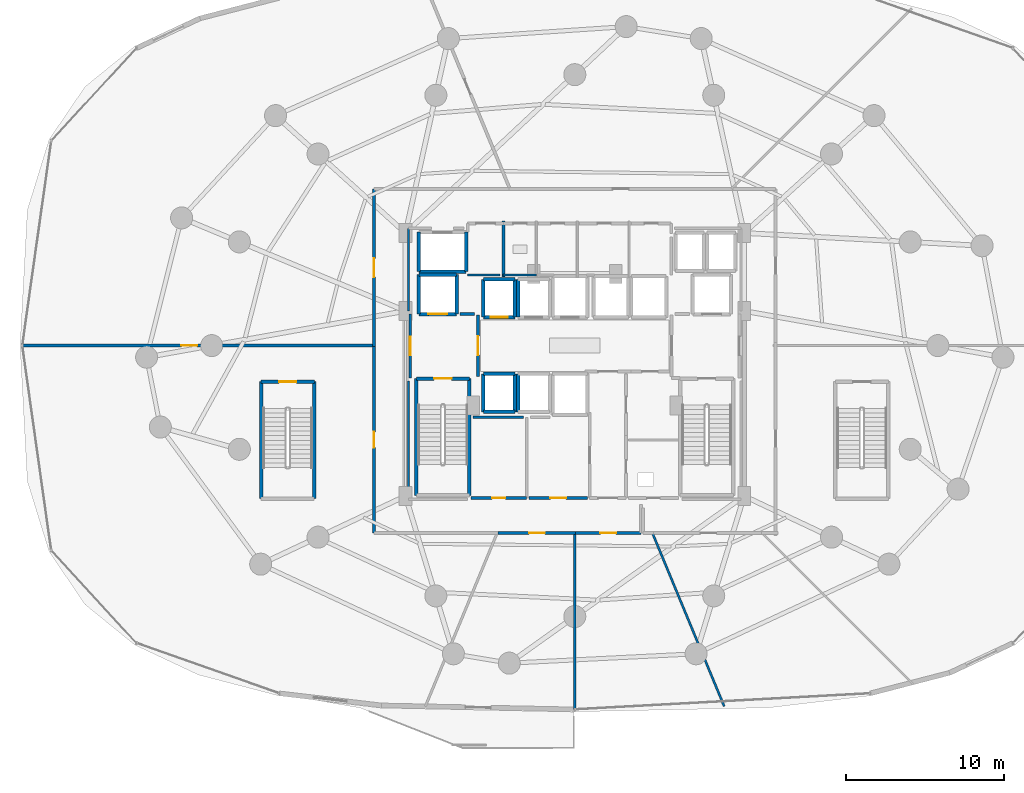
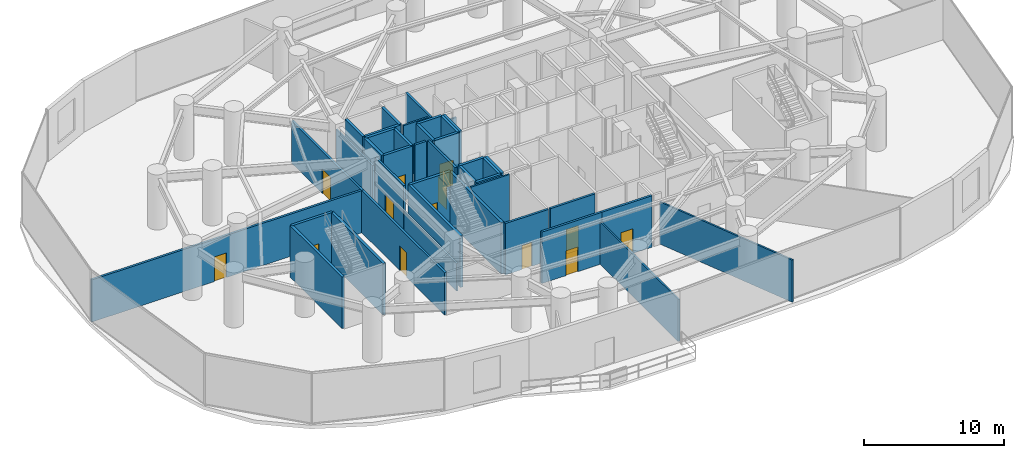
# One storey, part 24 of 30: 41 walls, 13 doors, 13 openings.
"""IFC4 building model written with IfcOpenShell, lengths in metres."""

from ifc_helpers import new_model, si_unit, direction, frame, frame_2d, origin, place, context, subcontext, project, spatial, rectangle, extrude, material, layer, layer_set, type_object, element, fill, save


model = new_model("IFC4")

# Units and contexts
model_context = context("Model", 3, precision=1e-05, world=origin(), true_north=direction((0.0, 1.0)))
body_context = subcontext(model_context, "Body", "Model", "MODEL_VIEW")
ifc_project = project(units=[si_unit("LENGTHUNIT", "METRE"), si_unit("AREAUNIT", "SQUARE_METRE"), si_unit("VOLUMEUNIT", "CUBIC_METRE"), si_unit("PLANEANGLEUNIT", "RADIAN"), si_unit("MASSUNIT", "GRAM", prefix="KILO")], contexts=[model_context])

# Site, building, storey
site_placement = place(None, origin())
site = spatial("IfcSite", under=ifc_project, at=site_placement, CompositionType="ELEMENT")
building_placement = place(site_placement, origin())
building = spatial("IfcBuilding", under=site, at=building_placement, Name="Vorneva Point Tower", CompositionType="ELEMENT")
storey_placement = place(building_placement, frame((0.0, 0.0, 9.60009765625)))
storey = spatial("IfcBuildingStorey", under=building, at=storey_placement, Name="L02", CompositionType="ELEMENT", Elevation=9.60009765625)

# Wall, opening, door
ifc_material_1 = material(Name="Concrete B60 (C50/60)", Category="concrete")
ifc_layer_1 = layer(ifc_material_1, 0.5)
ifc_layer_set_1 = layer_set([ifc_layer_1], Name="Concrete B60 (C50/60)")
wall_type_1 = type_object("IfcWallType", Name="WL-CORE-500", PredefinedType="SHEAR", material=ifc_layer_set_1)
wall_1_placement = place(storey_placement, frame((28.10009765625, 28.0, 0.0), z_axis=(0.0, 0.0, 1.0), x_axis=(1.0, 0.0, 0.0)))
wall_1 = element("IfcWall", 1, at=wall_1_placement, inside=storey, type_object=wall_type_1, Name="L02 Lift FFL1 Shaft Wall -Y", PredefinedType="SHEAR", context=body_context, shape_type="SweptSolid", body=[
    extrude(rectangle(XDim=2.39990234375, YDim=0.219970703125, at=frame_2d((1.199951171875, 0.0))), origin(), (0.0, 0.0, 1.0), 4.47998046875),
])
opening_1_placement = place(wall_1_placement, frame((0.60009765625, 0.0, 0.0)))
opening_1 = element("IfcOpeningElement", 2, at=opening_1_placement, cuts=wall_1, Name="Opening LD-02", PredefinedType="OPENING", context=body_context, shape_type="SweptSolid", body=[
    extrude(rectangle(XDim=1.199951171875, YDim=2.199951171875, at=frame_2d((0.60009765625, 1.10009765625))), frame((0.0, 0.125, 0.0), z_axis=(0.0, -1.0, 0.0), x_axis=(1.0, 0.0, 0.0)), (0.0, 0.0, 1.0), 0.249755859375),
])
ifc_material_2 = material(Name="Brushed stainless steel S304", Category="steel")
door_type_1 = type_object("IfcDoorType", Name="LD-FIRE-1200", OperationType="SLIDING_TO_LEFT", PredefinedType="DOOR", material=ifc_material_2)
door_1_placement = place(opening_1_placement, origin())
door_1 = element("IfcDoor", 3, at=door_1_placement, inside=storey, type_object=door_type_1, Name="L02 Lift FFL1 Sliding Landing Door", OperationType="SLIDING_TO_LEFT", OverallHeight=2.199951171875, OverallWidth=1.199951171875, PredefinedType="DOOR", context=body_context, shape_type="SweptSolid", body=[
    extrude(rectangle(XDim=1.199951171875, YDim=2.199951171875, at=frame_2d((0.60009765625, 1.10009765625))), frame((0.0, 0.02490234375, 0.0), z_axis=(0.0, -1.0, 0.0), x_axis=(1.0, 0.0, 0.0)), (0.0, 0.0, 1.0), 0.050048828125),
])
fill(opening_1, door_1)

# Walls
wall_2_placement = place(storey_placement, frame((30.5, 28.0, 0.0), z_axis=(0.0, 0.0, 1.0), x_axis=(0.0, 1.0, 0.0)))
element("IfcWall", 4, at=wall_2_placement, inside=storey, type_object=wall_type_1, Name="L02 Lift FFL1 Shaft Wall +X", PredefinedType="SHEAR", context=body_context, shape_type="SweptSolid", body=[
    extrude(rectangle(XDim=2.5, YDim=0.219970703125, at=frame_2d((1.25, 0.0))), origin(), (0.0, 0.0, 1.0), 4.47998046875),
])
wall_3_placement = place(storey_placement, frame((30.5, 30.5, 0.0), z_axis=(0.0, 0.0, 1.0), x_axis=(-1.0, 0.0, 0.0)))
element("IfcWall", 5, at=wall_3_placement, inside=storey, type_object=wall_type_1, Name="L02 Lift FFL1 Shaft Wall +Y", PredefinedType="SHEAR", context=body_context, shape_type="SweptSolid", body=[
    extrude(rectangle(XDim=2.39990234375, YDim=0.219970703125, at=frame_2d((1.199951171875, 0.0))), origin(), (0.0, 0.0, 1.0), 4.47998046875),
])
wall_4_placement = place(storey_placement, frame((28.10009765625, 30.5, 0.0), z_axis=(0.0, 0.0, 1.0), x_axis=(0.0, -1.0, 0.0)))
element("IfcWall", 6, at=wall_4_placement, inside=storey, type_object=wall_type_1, Name="L02 Lift FFL1 Shaft Wall -X", PredefinedType="SHEAR", context=body_context, shape_type="SweptSolid", body=[
    extrude(rectangle(XDim=2.5, YDim=0.219970703125, at=frame_2d((1.25, 0.0))), origin(), (0.0, 0.0, 1.0), 4.47998046875),
])
ifc_material_3 = material(Name="Fire-rated acoustic gypsum stud partition", Category="gypsum")
ifc_layer_2 = layer(ifc_material_3, 0.139892578125)
ifc_layer_set_2 = layer_set([ifc_layer_2], Name="Fire-rated acoustic gypsum stud partition")
wall_type_2 = type_object("IfcWallType", Name="WL-PART-140", PredefinedType="PARTITIONING", material=ifc_layer_set_2)
wall_5_placement = place(storey_placement, frame((38.0, 2.904052734375, 0.0), z_axis=(0.0, 0.0, 1.0), x_axis=(0.0, 1.0, 0.0)))
element("IfcWall", 7, at=wall_5_placement, inside=storey, type_object=wall_type_2, Name="L02 Interior Partition 047", PredefinedType="PARTITIONING", context=body_context, shape_type="SweptSolid", body=[
    extrude(rectangle(XDim=11.196044921875, YDim=0.139892578125, at=frame_2d((5.59814453125, 0.0))), origin(), (0.0, 0.0, 1.0), 3.671875),
])
wall_6_placement = place(storey_placement, frame((47.486083984375, 3.09912109375, 0.0), z_axis=(0.0, 0.0, 1.0), x_axis=(-0.38271032831, 0.923868391388, 0.0)))
element("IfcWall", 8, at=wall_6_placement, inside=storey, type_object=wall_type_2, Name="L02 Interior Partition 048", PredefinedType="PARTITIONING", context=body_context, shape_type="SweptSolid", body=[
    extrude(rectangle(XDim=11.907470703125, YDim=0.139892578125, at=frame_2d((5.95361328125, 0.0))), origin(), (0.0, 0.0, 1.0), 3.671875),
])
wall_7_placement = place(storey_placement, frame((31.199951171875, 30.47998046875, 0.0), z_axis=(0.0, 0.0, 1.0), x_axis=(1.0, 0.0, 0.0)))
element("IfcWall", 9, at=wall_7_placement, inside=storey, type_object=wall_type_2, Name="L02 Interior Closure Partition 053", PredefinedType="PARTITIONING", context=body_context, shape_type="SweptSolid", body=[
    extrude(rectangle(XDim=2.050048828125, YDim=0.139892578125, at=frame_2d((1.02490234375, 0.0))), origin(), (0.0, 0.0, 1.0), 4.47998046875),
])
wall_8_placement = place(storey_placement, frame((33.43994140625, 30.47998046875, 0.0), z_axis=(0.0, 0.0, 1.0), x_axis=(1.0, 0.0, 0.0)))
element("IfcWall", 10, at=wall_8_placement, inside=storey, type_object=wall_type_2, Name="L02 Interior Closure Partition 054", PredefinedType="PARTITIONING", context=body_context, shape_type="SweptSolid", body=[
    extrude(rectangle(XDim=2.14013671875, YDim=0.139892578125, at=frame_2d((1.070068359375, 0.0))), origin(), (0.0, 0.0, 1.0), 3.671875),
])
wall_9_placement = place(storey_placement, frame((34.72998046875, 21.449951171875, 0.0), z_axis=(0.0, 0.0, 1.0), x_axis=(-1.0, 0.0, 0.0)))
element("IfcWall", 11, at=wall_9_placement, inside=storey, type_object=wall_type_2, Name="L02 Interior Closure Partition 058", PredefinedType="PARTITIONING", context=body_context, shape_type="SweptSolid", body=[
    extrude(rectangle(XDim=3.199951171875, YDim=0.139892578125, at=frame_2d((1.60009765625, 0.0))), origin(), (0.0, 0.0, 1.0), 4.47998046875),
])
wall_10_placement = place(storey_placement, frame((27.449951171875, 16.239990234375, 0.0), z_axis=(0.0, 0.0, 1.0), x_axis=(0.0, 1.0, 0.0)))
element("IfcWall", 12, at=wall_10_placement, inside=storey, type_object=wall_type_2, Name="L02 Interior Closure Partition 065", PredefinedType="PARTITIONING", context=body_context, shape_type="SweptSolid", body=[
    extrude(rectangle(XDim=7.513916015625, YDim=0.139892578125, at=frame_2d((3.7568359375, 0.0))), origin(), (0.0, 0.0, 1.0), 2.406005859375),
])
wall_11_placement = place(storey_placement, frame((27.449951171875, 28.196044921875, 0.0), z_axis=(0.0, 0.0, 1.0), x_axis=(0.0, 1.0, 0.0)))
element("IfcWall", 13, at=wall_11_placement, inside=storey, type_object=wall_type_2, Name="L02 Interior Closure Partition 066", PredefinedType="PARTITIONING", context=body_context, shape_type="SweptSolid", body=[
    extrude(rectangle(XDim=5.25390625, YDim=0.139892578125, at=frame_2d((2.626953125, 0.0))), origin(), (0.0, 0.0, 1.0), 3.671875),
])

# Wall, opening, door
ifc_material_4 = material(Name="Autoclaved aerated concrete blockwork", Category="masonry")
ifc_layer_3 = layer(ifc_material_4, 0.179931640625)
ifc_layer_set_3 = layer_set([ifc_layer_3], Name="Autoclaved aerated concrete blockwork")
wall_type_3 = type_object("IfcWallType", Name="WL-PART-180", PredefinedType="PARTITIONING", material=ifc_layer_set_3)
wall_12_placement = place(storey_placement, frame((31.85009765625, 24.044921875, 0.0), z_axis=(0.0, 0.0, 1.0), x_axis=(0.0, 1.0, 0.0)))
wall_12 = element("IfcWall", 14, at=wall_12_placement, inside=storey, type_object=wall_type_3, Name="L02 Interior Partition 001", PredefinedType="PARTITIONING", context=body_context, shape_type="SweptSolid", body=[
    extrude(rectangle(XDim=3.91015625, YDim=0.179931640625, at=frame_2d((1.955078125, 0.0))), origin(), (0.0, 0.0, 1.0), 4.47998046875),
])
opening_2_placement = place(wall_12_placement, frame((1.35498046875, 0.0, 0.0)))
opening_2 = element("IfcOpeningElement", 15, at=opening_2_placement, cuts=wall_12, Name="Opening FD-02", PredefinedType="OPENING", context=body_context, shape_type="SweptSolid", body=[
    extrude(rectangle(XDim=1.199951171875, YDim=2.14990234375, at=frame_2d((0.60009765625, 1.074951171875))), frame((0.0, 0.10498046875, 0.0), z_axis=(0.0, -1.0, 0.0), x_axis=(1.0, 0.0, 0.0)), (0.0, 0.0, 1.0), 0.209716796875),
])
ifc_material_5 = material(Name="Fire-rated powder-coated steel", Category="steel")
door_type_2 = type_object("IfcDoorType", Name="DR-FFL-1200", OperationType="NOTDEFINED", PredefinedType="DOOR", material=ifc_material_5)
door_2_placement = place(opening_2_placement, origin())
door_2 = element("IfcDoor", 16, at=door_2_placement, inside=storey, type_object=door_type_2, Name="L02 Door West Firefighting Lobby / Central Lift Lobby", OperationType="SINGLE_SWING_LEFT", OverallHeight=2.14990234375, OverallWidth=1.199951171875, PredefinedType="DOOR", context=body_context, shape_type="SweptSolid", body=[
    extrude(rectangle(XDim=1.199951171875, YDim=2.14990234375, at=frame_2d((0.60009765625, 1.074951171875))), frame((0.0, 0.02490234375, 0.0), z_axis=(0.0, -1.0, 0.0), x_axis=(1.0, 0.0, 0.0)), (0.0, 0.0, 1.0), 0.050048828125),
])
fill(opening_2, door_2)

wall_13_placement = place(storey_placement, frame((27.550048828125, 28.0, 0.0), z_axis=(0.0, 0.0, 1.0), x_axis=(0.0, -1.0, 0.0)))
wall_13 = element("IfcWall", 17, at=wall_13_placement, inside=storey, type_object=wall_type_3, Name="L02 Interior Partition 002", PredefinedType="PARTITIONING", context=body_context, shape_type="SweptSolid", body=[
    extrude(rectangle(XDim=4.050048828125, YDim=0.179931640625, at=frame_2d((2.02490234375, 0.0))), origin(), (0.0, 0.0, 1.0), 4.47998046875),
])
opening_3_placement = place(wall_13_placement, frame((1.425048828125, 0.0, 0.0)))
opening_3 = element("IfcOpeningElement", 18, at=opening_3_placement, cuts=wall_13, Name="Opening FD-02", PredefinedType="OPENING", context=body_context, shape_type="SweptSolid", body=[
    extrude(rectangle(XDim=1.199951171875, YDim=2.14990234375, at=frame_2d((0.60009765625, 1.074951171875))), frame((0.0, 0.10498046875, 0.0), z_axis=(0.0, -1.0, 0.0), x_axis=(1.0, 0.0, 0.0)), (0.0, 0.0, 1.0), 0.209716796875),
])
door_3_placement = place(opening_3_placement, origin())
door_3 = element("IfcDoor", 19, at=door_3_placement, inside=storey, type_object=door_type_2, Name="L02 Door West Firefighting Lobby / L02 Circulation Corridor", OperationType="SINGLE_SWING_RIGHT", OverallHeight=2.14990234375, OverallWidth=1.199951171875, PredefinedType="DOOR", context=body_context, shape_type="SweptSolid", body=[
    extrude(rectangle(XDim=1.199951171875, YDim=2.14990234375, at=frame_2d((0.60009765625, 1.074951171875))), frame((0.0, 0.02490234375, 0.0), z_axis=(0.0, -1.0, 0.0), x_axis=(1.0, 0.0, 0.0)), (0.0, 0.0, 1.0), 0.050048828125),
])
fill(opening_3, door_3)

# Wall
wall_14_placement = place(storey_placement, frame((33.469970703125, 30.340087890625, 0.0), z_axis=(0.0, 0.0, 1.0), x_axis=(0.0, 1.0, 0.0)))
element("IfcWall", 20, at=wall_14_placement, inside=storey, type_object=wall_type_3, Name="L02 Interior Partition 006", PredefinedType="PARTITIONING", context=body_context, shape_type="SweptSolid", body=[
    extrude(rectangle(XDim=3.559814453125, YDim=0.179931640625, at=frame_2d((1.77978515625, 0.0))), origin(), (0.0, 0.0, 1.0), 4.47998046875),
])

# Wall, opening, door
wall_15_placement = place(storey_placement, frame((31.39990234375, 16.320068359375, 0.0), z_axis=(0.0, 0.0, 1.0), x_axis=(1.0, 0.0, 0.0)))
wall_15 = element("IfcWall", 21, at=wall_15_placement, inside=storey, type_object=wall_type_3, Name="L02 Interior Partition 026", PredefinedType="PARTITIONING", context=body_context, shape_type="SweptSolid", body=[
    extrude(rectangle(XDim=3.550048828125, YDim=0.179931640625, at=frame_2d((1.77490234375, 0.0))), origin(), (0.0, 0.0, 1.0), 4.47998046875),
])
opening_4_placement = place(wall_15_placement, frame((1.35009765625, 0.0, 0.0)))
opening_4 = element("IfcOpeningElement", 22, at=opening_4_placement, cuts=wall_15, Name="Opening ID-02", PredefinedType="OPENING", context=body_context, shape_type="SweptSolid", body=[
    extrude(rectangle(XDim=0.85009765625, YDim=2.10009765625, at=frame_2d((0.425048828125, 1.050048828125))), frame((0.0, 0.10498046875, 0.0), z_axis=(0.0, -1.0, 0.0), x_axis=(1.0, 0.0, 0.0)), (0.0, 0.0, 1.0), 0.209716796875),
])
ifc_material_6 = material(Name="Engineered oak fire-rated door leaf", Category="wood")
door_type_3 = type_object("IfcDoorType", Name="DR-BATH-850", OperationType="NOTDEFINED", PredefinedType="DOOR", material=ifc_material_6)
door_4_placement = place(opening_4_placement, origin())
door_4 = element("IfcDoor", 23, at=door_4_placement, inside=storey, type_object=door_type_3, Name="L02 Door Luggage Store / L02 Circulation Corridor", OperationType="SINGLE_SWING_LEFT", OverallHeight=2.10009765625, OverallWidth=0.85009765625, PredefinedType="DOOR", context=body_context, shape_type="SweptSolid", body=[
    extrude(rectangle(XDim=0.85009765625, YDim=2.10009765625, at=frame_2d((0.425048828125, 1.050048828125))), frame((0.0, 0.02490234375, 0.0), z_axis=(0.0, -1.0, 0.0), x_axis=(1.0, 0.0, 0.0)), (0.0, 0.0, 1.0), 0.050048828125),
])
fill(opening_4, door_4)

wall_16_placement = place(storey_placement, frame((35.10009765625, 16.320068359375, 0.0), z_axis=(0.0, 0.0, 1.0), x_axis=(1.0, 0.0, 0.0)))
wall_16 = element("IfcWall", 24, at=wall_16_placement, inside=storey, type_object=wall_type_3, Name="L02 Interior Partition 027", PredefinedType="PARTITIONING", context=body_context, shape_type="SweptSolid", body=[
    extrude(rectangle(XDim=3.699951171875, YDim=0.179931640625, at=frame_2d((1.85009765625, 0.0))), origin(), (0.0, 0.0, 1.0), 4.47998046875),
])
opening_5_placement = place(wall_16_placement, frame((1.35009765625, 0.0, 0.0)))
opening_5 = element("IfcOpeningElement", 25, at=opening_5_placement, cuts=wall_16, Name="Opening UD-01", PredefinedType="OPENING", context=body_context, shape_type="SweptSolid", body=[
    extrude(rectangle(XDim=1.0, YDim=2.14990234375, at=frame_2d((0.5, 1.074951171875))), frame((0.0, 0.10498046875, 0.0), z_axis=(0.0, -1.0, 0.0), x_axis=(1.0, 0.0, 0.0)), (0.0, 0.0, 1.0), 0.209716796875),
])
door_type_4 = type_object("IfcDoorType", Name="DR-UNIT-1000", OperationType="NOTDEFINED", PredefinedType="DOOR", material=ifc_material_6)
door_5_placement = place(opening_5_placement, origin())
door_5 = element("IfcDoor", 26, at=door_5_placement, inside=storey, type_object=door_type_4, Name="L02 Door Staff Service Pantry / L02 Circulation Corridor", OperationType="SINGLE_SWING_RIGHT", OverallHeight=2.14990234375, OverallWidth=1.0, PredefinedType="DOOR", context=body_context, shape_type="SweptSolid", body=[
    extrude(rectangle(XDim=1.0, YDim=2.14990234375, at=frame_2d((0.5, 1.074951171875))), frame((0.0, 0.02490234375, 0.0), z_axis=(0.0, -1.0, 0.0), x_axis=(1.0, 0.0, 0.0)), (0.0, 0.0, 1.0), 0.050048828125),
])
fill(opening_5, door_5)

wall_17_placement = place(storey_placement, frame((25.25, 35.949951171875, 0.0), z_axis=(0.0, 0.0, 1.0), x_axis=(0.0, -1.0, 0.0)))
wall_17 = element("IfcWall", 27, at=wall_17_placement, inside=storey, type_object=wall_type_3, Name="L02 Interior Partition 030", PredefinedType="PARTITIONING", context=body_context, shape_type="SweptSolid", body=[
    extrude(rectangle(XDim=10.010009765625, YDim=0.179931640625, at=frame_2d((5.0048828125, 0.0))), origin(), (0.0, 0.0, 1.0), 3.671875),
])
opening_6_placement = place(wall_17_placement, frame((4.405029296875, 0.0, 0.0)))
opening_6 = element("IfcOpeningElement", 28, at=opening_6_placement, cuts=wall_17, Name="Opening FD-02", PredefinedType="OPENING", context=body_context, shape_type="SweptSolid", body=[
    extrude(rectangle(XDim=1.199951171875, YDim=2.14990234375, at=frame_2d((0.60009765625, 1.074951171875))), frame((0.0, 0.10498046875, 0.0), z_axis=(0.0, -1.0, 0.0), x_axis=(1.0, 0.0, 0.0)), (0.0, 0.0, 1.0), 0.209716796875),
])
door_6_placement = place(opening_6_placement, origin())
door_6 = element("IfcDoor", 29, at=door_6_placement, inside=storey, type_object=door_type_2, Name="L02 Door L02 Circulation Corridor / Waterfront Concourse Gallery L02", OperationType="SINGLE_SWING_RIGHT", OverallHeight=2.14990234375, OverallWidth=1.199951171875, PredefinedType="DOOR", context=body_context, shape_type="SweptSolid", body=[
    extrude(rectangle(XDim=1.199951171875, YDim=2.14990234375, at=frame_2d((0.60009765625, 1.074951171875))), frame((0.0, 0.02490234375, 0.0), z_axis=(0.0, -1.0, 0.0), x_axis=(1.0, 0.0, 0.0)), (0.0, 0.0, 1.0), 0.050048828125),
])
fill(opening_6, door_6)

wall_18_placement = place(storey_placement, frame((25.25, 25.93994140625, 0.0), z_axis=(0.0, 0.0, 1.0), x_axis=(0.0, -1.0, 0.0)))
wall_18 = element("IfcWall", 30, at=wall_18_placement, inside=storey, type_object=wall_type_3, Name="L02 Interior Partition 031", PredefinedType="PARTITIONING", context=body_context, shape_type="SweptSolid", body=[
    extrude(rectangle(XDim=11.83984375, YDim=0.179931640625, at=frame_2d((5.919921875, 0.0))), origin(), (0.0, 0.0, 1.0), 3.671875),
])
opening_7_placement = place(wall_18_placement, frame((5.419921875, 0.0, 0.0)))
opening_7 = element("IfcOpeningElement", 31, at=opening_7_placement, cuts=wall_18, Name="Opening UD-01", PredefinedType="OPENING", context=body_context, shape_type="SweptSolid", body=[
    extrude(rectangle(XDim=1.0, YDim=2.14990234375, at=frame_2d((0.5, 1.074951171875))), frame((0.0, 0.10498046875, 0.0), z_axis=(0.0, -1.0, 0.0), x_axis=(1.0, 0.0, 0.0)), (0.0, 0.0, 1.0), 0.209716796875),
])
door_7_placement = place(opening_7_placement, origin())
door_7 = element("IfcDoor", 32, at=door_7_placement, inside=storey, type_object=door_type_4, Name="L02 Door L02 Circulation Corridor / Riverfront Cafe L02", OperationType="SINGLE_SWING_LEFT", OverallHeight=2.14990234375, OverallWidth=1.0, PredefinedType="DOOR", context=body_context, shape_type="SweptSolid", body=[
    extrude(rectangle(XDim=1.0, YDim=2.14990234375, at=frame_2d((0.5, 1.074951171875))), frame((0.0, 0.02490234375, 0.0), z_axis=(0.0, -1.0, 0.0), x_axis=(1.0, 0.0, 0.0)), (0.0, 0.0, 1.0), 0.050048828125),
])
fill(opening_7, door_7)

wall_19_placement = place(storey_placement, frame((33.131103515625, 14.10009765625, 0.0), z_axis=(0.0, 0.0, 1.0), x_axis=(1.0, 0.0, 0.0)))
wall_19 = element("IfcWall", 33, at=wall_19_placement, inside=storey, type_object=wall_type_3, Name="L02 Interior Partition 033", PredefinedType="PARTITIONING", context=body_context, shape_type="SweptSolid", body=[
    extrude(rectangle(XDim=4.928955078125, YDim=0.179931640625, at=frame_2d((2.46435546875, 0.0))), origin(), (0.0, 0.0, 1.0), 4.47998046875),
])
opening_8_placement = place(wall_19_placement, frame((1.964599609375, 0.0, 0.0)))
opening_8 = element("IfcOpeningElement", 34, at=opening_8_placement, cuts=wall_19, Name="Opening UD-01", PredefinedType="OPENING", context=body_context, shape_type="SweptSolid", body=[
    extrude(rectangle(XDim=1.0, YDim=2.14990234375, at=frame_2d((0.5, 1.074951171875))), frame((0.0, 0.10498046875, 0.0), z_axis=(0.0, -1.0, 0.0), x_axis=(1.0, 0.0, 0.0)), (0.0, 0.0, 1.0), 0.209716796875),
])
door_8_placement = place(opening_8_placement, origin())
door_8 = element("IfcDoor", 35, at=door_8_placement, inside=storey, type_object=door_type_4, Name="L02 Door L02 Circulation Corridor / Riverfront Dining Lounge L02", OperationType="SINGLE_SWING_RIGHT", OverallHeight=2.14990234375, OverallWidth=1.0, PredefinedType="DOOR", context=body_context, shape_type="SweptSolid", body=[
    extrude(rectangle(XDim=1.0, YDim=2.14990234375, at=frame_2d((0.5, 1.074951171875))), frame((0.0, 0.02490234375, 0.0), z_axis=(0.0, -1.0, 0.0), x_axis=(1.0, 0.0, 0.0)), (0.0, 0.0, 1.0), 0.050048828125),
])
fill(opening_8, door_8)

wall_20_placement = place(storey_placement, frame((38.06005859375, 14.10009765625, 0.0), z_axis=(0.0, 0.0, 1.0), x_axis=(1.0, 0.0, 0.0)))
wall_20 = element("IfcWall", 36, at=wall_20_placement, inside=storey, type_object=wall_type_3, Name="L02 Interior Partition 036", PredefinedType="PARTITIONING", context=body_context, shape_type="SweptSolid", body=[
    extrude(rectangle(XDim=4.139892578125, YDim=0.179931640625, at=frame_2d((2.06982421875, 0.0))), origin(), (0.0, 0.0, 1.0), 4.47998046875),
])
opening_9_placement = place(wall_20_placement, frame((1.570068359375, 0.0, 0.0)))
opening_9 = element("IfcOpeningElement", 37, at=opening_9_placement, cuts=wall_20, Name="Opening UD-01", PredefinedType="OPENING", context=body_context, shape_type="SweptSolid", body=[
    extrude(rectangle(XDim=1.0, YDim=2.14990234375, at=frame_2d((0.5, 1.074951171875))), frame((0.0, 0.10498046875, 0.0), z_axis=(0.0, -1.0, 0.0), x_axis=(1.0, 0.0, 0.0)), (0.0, 0.0, 1.0), 0.209716796875),
])
door_9_placement = place(opening_9_placement, origin())
door_9 = element("IfcDoor", 38, at=door_9_placement, inside=storey, type_object=door_type_4, Name="L02 Door L02 Circulation Corridor / Harbour Restaurant L02", OperationType="SINGLE_SWING_LEFT", OverallHeight=2.14990234375, OverallWidth=1.0, PredefinedType="DOOR", context=body_context, shape_type="SweptSolid", body=[
    extrude(rectangle(XDim=1.0, YDim=2.14990234375, at=frame_2d((0.5, 1.074951171875))), frame((0.0, 0.02490234375, 0.0), z_axis=(0.0, -1.0, 0.0), x_axis=(1.0, 0.0, 0.0)), (0.0, 0.0, 1.0), 0.050048828125),
])
fill(opening_9, door_9)

wall_21_placement = place(storey_placement, frame((2.929931640625, 26.0, 0.0), z_axis=(0.0, 0.0, 1.0), x_axis=(1.0, 0.0, 0.0)))
wall_21 = element("IfcWall", 39, at=wall_21_placement, inside=storey, type_object=wall_type_3, Name="L02 Interior Partition 045", PredefinedType="PARTITIONING", context=body_context, shape_type="SweptSolid", body=[
    extrude(rectangle(XDim=22.320068359375, YDim=0.179931640625, at=frame_2d((11.16015625, 0.0))), origin(), (0.0, 0.0, 1.0), 3.671875),
])
opening_10_placement = place(wall_21_placement, frame((10.10009765625, 0.0, 0.0)))
opening_10 = element("IfcOpeningElement", 40, at=opening_10_placement, cuts=wall_21, Name="Opening UD-01", PredefinedType="OPENING", context=body_context, shape_type="SweptSolid", body=[
    extrude(rectangle(XDim=1.0, YDim=2.14990234375, at=frame_2d((0.5, 1.074951171875))), frame((0.0, 0.10498046875, 0.0), z_axis=(0.0, -1.0, 0.0), x_axis=(1.0, 0.0, 0.0)), (0.0, 0.0, 1.0), 0.209716796875),
])
door_10_placement = place(opening_10_placement, origin())
door_10 = element("IfcDoor", 41, at=door_10_placement, inside=storey, type_object=door_type_4, Name="L02 Door Waterfront Concourse Gallery L02 / Riverfront Cafe L02", OperationType="SINGLE_SWING_LEFT", OverallHeight=2.14990234375, OverallWidth=1.0, PredefinedType="DOOR", context=body_context, shape_type="SweptSolid", body=[
    extrude(rectangle(XDim=1.0, YDim=2.14990234375, at=frame_2d((0.5, 1.074951171875))), frame((0.0, 0.02490234375, 0.0), z_axis=(0.0, -1.0, 0.0), x_axis=(1.0, 0.0, 0.0)), (0.0, 0.0, 1.0), 0.050048828125),
])
fill(opening_10, door_10)

# Wall
wall_22_placement = place(storey_placement, frame((31.635009765625, 28.0, 0.0), z_axis=(0.0, 0.0, 1.0), x_axis=(-1.0, 0.0, 0.0)))
element("IfcWall", 42, at=wall_22_placement, inside=storey, type_object=wall_type_3, Name="L02 Interior Closure Partition 051", PredefinedType="PARTITIONING", context=body_context, shape_type="SweptSolid", body=[
    extrude(rectangle(XDim=0.9150390625, YDim=0.179931640625, at=frame_2d((0.45751953125, 0.0))), origin(), (0.0, 0.0, 1.0), 4.47998046875),
])

# Wall, opening, door
ifc_material_7 = material(Name="Concrete B50 (C40/50)", Category="concrete")
ifc_layer_4 = layer(ifc_material_7, 0.219970703125)
ifc_layer_set_4 = layer_set([ifc_layer_4], Name="Concrete B50 (C40/50)")
wall_type_4 = type_object("IfcWallType", Name="WL-SHFT-220", PredefinedType="SOLIDWALL", material=ifc_layer_set_4)
wall_23_placement = place(storey_placement, frame((27.93994140625, 23.909912109375, 0.0), z_axis=(0.0, 0.0, 1.0), x_axis=(1.0, 0.0, 0.0)))
wall_23 = element("IfcWall", 43, at=wall_23_placement, inside=storey, type_object=wall_type_4, Name="L02 Exit Stair ST1 Shaft Wall near", PredefinedType="SOLIDWALL", context=body_context, shape_type="SweptSolid", body=[
    extrude(rectangle(XDim=3.3701171875, YDim=0.219970703125, at=frame_2d((1.68505859375, 0.0))), origin(), (0.0, 0.0, 1.0), 4.47998046875),
])
opening_11_placement = place(wall_23_placement, frame((1.135009765625, 0.0, 0.0)))
opening_11 = element("IfcOpeningElement", 44, at=opening_11_placement, cuts=wall_23, Name="Opening FD-01", PredefinedType="OPENING", context=body_context, shape_type="SweptSolid", body=[
    extrude(rectangle(XDim=1.10009765625, YDim=2.14990234375, at=frame_2d((0.550048828125, 1.074951171875))), frame((0.0, 0.125, 0.0), z_axis=(0.0, -1.0, 0.0), x_axis=(1.0, 0.0, 0.0)), (0.0, 0.0, 1.0), 0.249755859375),
])
door_type_5 = type_object("IfcDoorType", Name="DR-STAIR-1100", OperationType="NOTDEFINED", PredefinedType="DOOR", material=ifc_material_5)
door_11_placement = place(opening_11_placement, origin())
door_11 = element("IfcDoor", 45, at=door_11_placement, inside=storey, type_object=door_type_5, Name="L02 Exit Stair ST1 Fire Door", OperationType="SINGLE_SWING_RIGHT", OverallHeight=2.14990234375, OverallWidth=1.10009765625, PredefinedType="DOOR", context=body_context, shape_type="SweptSolid", body=[
    extrude(rectangle(XDim=1.10009765625, YDim=2.14990234375, at=frame_2d((0.550048828125, 1.074951171875))), frame((0.0, 0.02490234375, 0.0), z_axis=(0.0, -1.0, 0.0), x_axis=(1.0, 0.0, 0.0)), (0.0, 0.0, 1.0), 0.050048828125),
])
fill(opening_11, door_11)

# Walls
for number, where, z_axis, x_axis, name in (
    (46, (31.31005859375, 23.909912109375, 0.0), (0.0, 0.0, 1.0), (0.0, -1.0, 0.0), "L02 Exit Stair ST1 Shaft Wall right"),
    (47, (27.93994140625, 16.489990234375, 0.0), (0.0, 0.0, 1.0), (0.0, 1.0, 0.0), "L02 Exit Stair ST1 Shaft Wall left"),
):
    element("IfcWall", number, at=place(storey_placement, frame(where, z_axis=z_axis, x_axis=x_axis)), inside=storey, type_object=wall_type_4, Name=name, PredefinedType="SOLIDWALL", context=body_context, shape_type="SweptSolid", body=[
        extrude(rectangle(XDim=7.419921875, YDim=0.219970703125, at=frame_2d((3.7099609375, 0.0))), origin(), (0.0, 0.0, 1.0), 4.47998046875),
    ])

# Wall, opening, door
wall_24_placement = place(storey_placement, frame((18.090087890625, 23.7099609375, 0.0), z_axis=(0.0, 0.0, 1.0), x_axis=(1.0, 0.0, 0.0)))
wall_24 = element("IfcWall", 48, at=wall_24_placement, inside=storey, type_object=wall_type_4, Name="L02 Exit Stair ST3 Shaft Wall near", PredefinedType="SOLIDWALL", context=body_context, shape_type="SweptSolid", body=[
    extrude(rectangle(XDim=3.369873046875, YDim=0.219970703125, at=frame_2d((1.68505859375, 0.0))), origin(), (0.0, 0.0, 1.0), 4.47998046875),
])
opening_12_placement = place(wall_24_placement, frame((1.135009765625, 0.0, 0.0)))
opening_12 = element("IfcOpeningElement", 49, at=opening_12_placement, cuts=wall_24, Name="Opening FD-01", PredefinedType="OPENING", context=body_context, shape_type="SweptSolid", body=[
    extrude(rectangle(XDim=1.10009765625, YDim=2.14990234375, at=frame_2d((0.550048828125, 1.074951171875))), frame((0.0, 0.125, 0.0), z_axis=(0.0, -1.0, 0.0), x_axis=(1.0, 0.0, 0.0)), (0.0, 0.0, 1.0), 0.249755859375),
])
door_12_placement = place(opening_12_placement, origin())
door_12 = element("IfcDoor", 50, at=door_12_placement, inside=storey, type_object=door_type_5, Name="L02 Exit Stair ST3 Fire Door", OperationType="SINGLE_SWING_RIGHT", OverallHeight=2.14990234375, OverallWidth=1.10009765625, PredefinedType="DOOR", context=body_context, shape_type="SweptSolid", body=[
    extrude(rectangle(XDim=1.10009765625, YDim=2.14990234375, at=frame_2d((0.550048828125, 1.074951171875))), frame((0.0, 0.02490234375, 0.0), z_axis=(0.0, -1.0, 0.0), x_axis=(1.0, 0.0, 0.0)), (0.0, 0.0, 1.0), 0.050048828125),
])
fill(opening_12, door_12)

# Walls
for number, where, z_axis, x_axis, name in (
    (51, (21.4599609375, 23.7099609375, 0.0), (0.0, 0.0, 1.0), (0.0, -1.0, 0.0), "L02 Exit Stair ST3 Shaft Wall right"),
    (52, (18.090087890625, 16.2900390625, 0.0), (0.0, 0.0, 1.0), (0.0, 1.0, 0.0), "L02 Exit Stair ST3 Shaft Wall left"),
):
    element("IfcWall", number, at=place(storey_placement, frame(where, z_axis=z_axis, x_axis=x_axis)), inside=storey, type_object=wall_type_4, Name=name, PredefinedType="SOLIDWALL", context=body_context, shape_type="SweptSolid", body=[
        extrude(rectangle(XDim=7.419921875, YDim=0.219970703125, at=frame_2d((3.7099609375, 0.0))), origin(), (0.0, 0.0, 1.0), 4.47998046875),
    ])

# Wall, opening, door
wall_25_placement = place(storey_placement, frame((32.199951171875, 27.800048828125, 0.0), z_axis=(0.0, 0.0, 1.0), x_axis=(1.0, 0.0, 0.0)))
wall_25 = element("IfcWall", 53, at=wall_25_placement, inside=storey, type_object=wall_type_4, Name="L02 Lift PL1 Shaft Wall -Y", PredefinedType="SOLIDWALL", context=body_context, shape_type="SweptSolid", body=[
    extrude(rectangle(XDim=2.0, YDim=0.219970703125, at=frame_2d((1.0, 0.0))), origin(), (0.0, 0.0, 1.0), 4.47998046875),
])
opening_13_placement = place(wall_25_placement, frame((0.449951171875, 0.0, 0.0)))
opening_13 = element("IfcOpeningElement", 54, at=opening_13_placement, cuts=wall_25, Name="Opening LD-01", PredefinedType="OPENING", context=body_context, shape_type="SweptSolid", body=[
    extrude(rectangle(XDim=1.10009765625, YDim=2.199951171875, at=frame_2d((0.550048828125, 1.10009765625))), frame((0.0, 0.125, 0.0), z_axis=(0.0, -1.0, 0.0), x_axis=(1.0, 0.0, 0.0)), (0.0, 0.0, 1.0), 0.249755859375),
])
door_type_6 = type_object("IfcDoorType", Name="LD-PASS-1100", OperationType="SLIDING_TO_LEFT", PredefinedType="DOOR", material=ifc_material_2)
door_13_placement = place(opening_13_placement, origin())
door_13 = element("IfcDoor", 55, at=door_13_placement, inside=storey, type_object=door_type_6, Name="L02 Lift PL1 Sliding Landing Door", OperationType="SLIDING_TO_LEFT", OverallHeight=2.199951171875, OverallWidth=1.10009765625, PredefinedType="DOOR", context=body_context, shape_type="SweptSolid", body=[
    extrude(rectangle(XDim=1.10009765625, YDim=2.199951171875, at=frame_2d((0.550048828125, 1.10009765625))), frame((0.0, 0.02490234375, 0.0), z_axis=(0.0, -1.0, 0.0), x_axis=(1.0, 0.0, 0.0)), (0.0, 0.0, 1.0), 0.050048828125),
])
fill(opening_13, door_13)

# Walls
wall_26_placement = place(storey_placement, frame((34.199951171875, 27.800048828125, 0.0), z_axis=(0.0, 0.0, 1.0), x_axis=(0.0, 1.0, 0.0)))
element("IfcWall", 56, at=wall_26_placement, inside=storey, type_object=wall_type_4, Name="L02 Lift PL1 Shaft Wall +X", PredefinedType="SOLIDWALL", context=body_context, shape_type="SweptSolid", body=[
    extrude(rectangle(XDim=2.39990234375, YDim=0.219970703125, at=frame_2d((1.199951171875, 0.0))), origin(), (0.0, 0.0, 1.0), 4.47998046875),
])
wall_27_placement = place(storey_placement, frame((34.199951171875, 30.199951171875, 0.0), z_axis=(0.0, 0.0, 1.0), x_axis=(-1.0, 0.0, 0.0)))
element("IfcWall", 57, at=wall_27_placement, inside=storey, type_object=wall_type_4, Name="L02 Lift PL1 Shaft Wall +Y", PredefinedType="SOLIDWALL", context=body_context, shape_type="SweptSolid", body=[
    extrude(rectangle(XDim=2.0, YDim=0.219970703125, at=frame_2d((1.0, 0.0))), origin(), (0.0, 0.0, 1.0), 4.47998046875),
])
for number, where, z_axis, x_axis, name in (
    (58, (32.199951171875, 30.199951171875, 0.0), (0.0, 0.0, 1.0), (0.0, -1.0, 0.0), "L02 Lift PL1 Shaft Wall -X"),
    (59, (34.39990234375, 30.199951171875, 0.0), (0.0, 0.0, 1.0), (0.0, -1.0, 0.0), "L02 Lift PL2 Shaft Wall -X"),
):
    element("IfcWall", number, at=place(storey_placement, frame(where, z_axis=z_axis, x_axis=x_axis)), inside=storey, type_object=wall_type_4, Name=name, PredefinedType="SOLIDWALL", context=body_context, shape_type="SweptSolid", body=[
        extrude(rectangle(XDim=2.39990234375, YDim=0.219970703125, at=frame_2d((1.199951171875, 0.0))), origin(), (0.0, 0.0, 1.0), 4.47998046875),
    ])
wall_28_placement = place(storey_placement, frame((32.199951171875, 21.800048828125, 0.0), z_axis=(0.0, 0.0, 1.0), x_axis=(1.0, 0.0, 0.0)))
element("IfcWall", 60, at=wall_28_placement, inside=storey, type_object=wall_type_4, Name="L02 Lift PL4 Shaft Wall -Y", PredefinedType="SOLIDWALL", context=body_context, shape_type="SweptSolid", body=[
    extrude(rectangle(XDim=2.0, YDim=0.219970703125, at=frame_2d((1.0, 0.0))), origin(), (0.0, 0.0, 1.0), 4.47998046875),
])
wall_29_placement = place(storey_placement, frame((34.199951171875, 21.800048828125, 0.0), z_axis=(0.0, 0.0, 1.0), x_axis=(0.0, 1.0, 0.0)))
element("IfcWall", 61, at=wall_29_placement, inside=storey, type_object=wall_type_4, Name="L02 Lift PL4 Shaft Wall +X", PredefinedType="SOLIDWALL", context=body_context, shape_type="SweptSolid", body=[
    extrude(rectangle(XDim=2.39990234375, YDim=0.219970703125, at=frame_2d((1.199951171875, 0.0))), origin(), (0.0, 0.0, 1.0), 4.47998046875),
])
wall_30_placement = place(storey_placement, frame((34.199951171875, 24.199951171875, 0.0), z_axis=(0.0, 0.0, 1.0), x_axis=(-1.0, 0.0, 0.0)))
element("IfcWall", 62, at=wall_30_placement, inside=storey, type_object=wall_type_4, Name="L02 Lift PL4 Shaft Wall +Y", PredefinedType="SOLIDWALL", context=body_context, shape_type="SweptSolid", body=[
    extrude(rectangle(XDim=2.0, YDim=0.219970703125, at=frame_2d((1.0, 0.0))), origin(), (0.0, 0.0, 1.0), 4.47998046875),
])
for number, where, z_axis, x_axis, name in (
    (63, (32.199951171875, 24.199951171875, 0.0), (0.0, 0.0, 1.0), (0.0, -1.0, 0.0), "L02 Lift PL4 Shaft Wall -X"),
    (64, (34.39990234375, 24.199951171875, 0.0), (0.0, 0.0, 1.0), (0.0, -1.0, 0.0), "L02 Lift PL5 Shaft Wall -X"),
):
    element("IfcWall", number, at=place(storey_placement, frame(where, z_axis=z_axis, x_axis=x_axis)), inside=storey, type_object=wall_type_4, Name=name, PredefinedType="SOLIDWALL", context=body_context, shape_type="SweptSolid", body=[
        extrude(rectangle(XDim=2.39990234375, YDim=0.219970703125, at=frame_2d((1.199951171875, 0.0))), origin(), (0.0, 0.0, 1.0), 4.47998046875),
    ])
wall_31_placement = place(storey_placement, frame((28.10009765625, 30.699951171875, 0.0), z_axis=(0.0, 0.0, 1.0), x_axis=(1.0, 0.0, 0.0)))
element("IfcWall", 65, at=wall_31_placement, inside=storey, type_object=wall_type_4, Name="L02 Lift SVL1 Shaft Wall -Y", PredefinedType="SOLIDWALL", context=body_context, shape_type="SweptSolid", body=[
    extrude(rectangle(XDim=3.0, YDim=0.219970703125, at=frame_2d((1.5, 0.0))), origin(), (0.0, 0.0, 1.0), 4.47998046875),
])
for number, where, z_axis, x_axis, name in (
    (66, (31.10009765625, 30.699951171875, 0.0), (0.0, 0.0, 1.0), (0.0, 1.0, 0.0), "L02 Lift SVL1 Shaft Wall +X"),
    (67, (28.10009765625, 33.199951171875, 0.0), (0.0, 0.0, 1.0), (0.0, -1.0, 0.0), "L02 Lift SVL1 Shaft Wall -X"),
):
    element("IfcWall", number, at=place(storey_placement, frame(where, z_axis=z_axis, x_axis=x_axis)), inside=storey, type_object=wall_type_4, Name=name, PredefinedType="SOLIDWALL", context=body_context, shape_type="SweptSolid", body=[
        extrude(rectangle(XDim=2.5, YDim=0.219970703125, at=frame_2d((1.25, 0.0))), origin(), (0.0, 0.0, 1.0), 4.47998046875),
    ])

save(model, "model.ifc")
